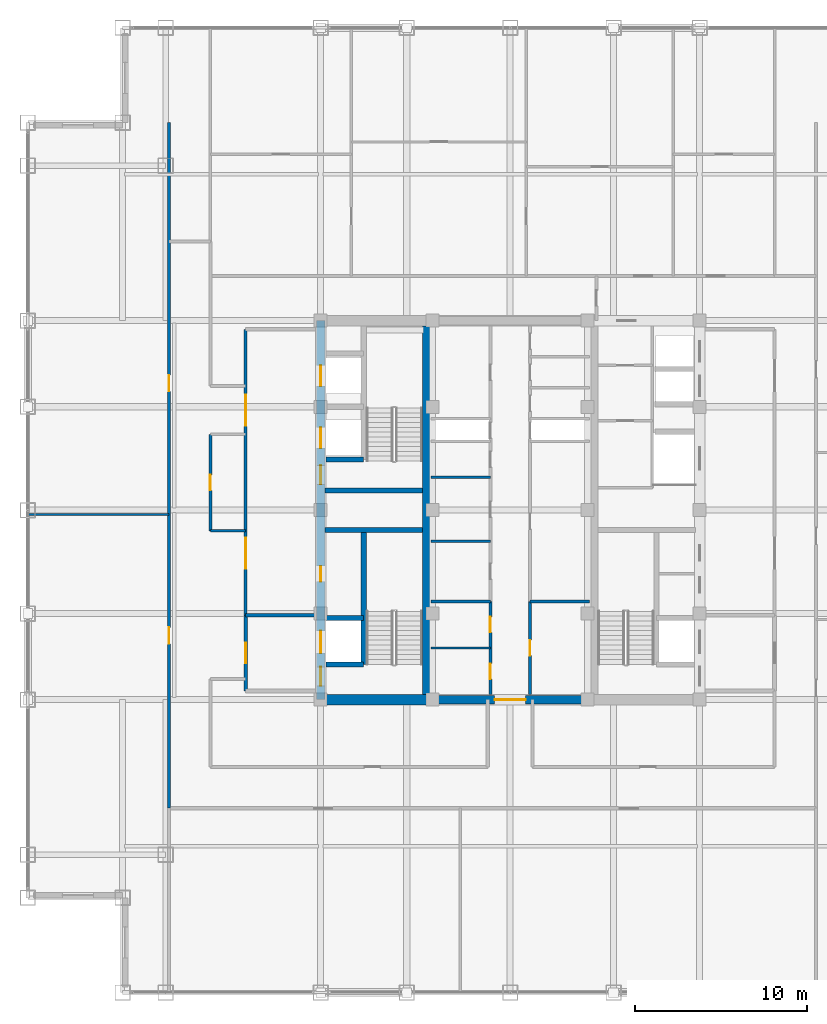
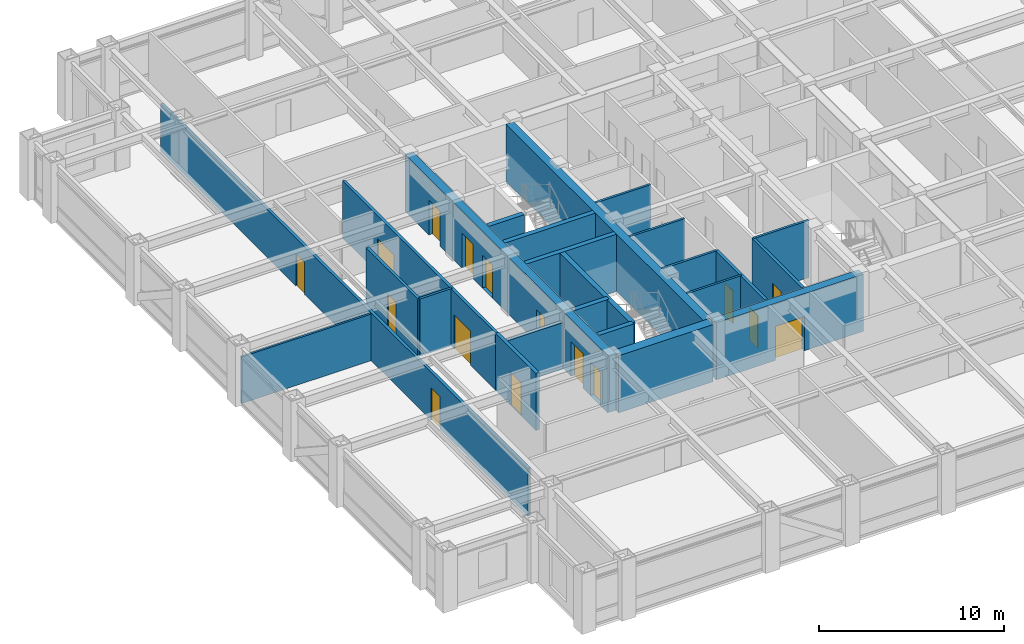
# One storey, part 18 of 22: 24 walls, 16 doors, 16 openings.
"""IFC4 building model written with IfcOpenShell, lengths in metres."""

from ifc_helpers import new_model, si_unit, direction, frame, frame_2d, origin, place, context, subcontext, project, spatial, rectangle, extrude, source, transform, mapped, material, layer, layer_set, type_object, element, fill, save


model = new_model("IFC4")

# Units and contexts
model_context = context("Model", 3, precision=1e-05, world=origin(), true_north=direction((0.0, 1.0)))
body_context = subcontext(model_context, "Body", "Model", "MODEL_VIEW")
ifc_project = project(units=[si_unit("LENGTHUNIT", "METRE"), si_unit("AREAUNIT", "SQUARE_METRE"), si_unit("VOLUMEUNIT", "CUBIC_METRE"), si_unit("PLANEANGLEUNIT", "RADIAN"), si_unit("MASSUNIT", "GRAM", prefix="KILO")], contexts=[model_context])

# Site, building, storey
site_placement = place(None, origin())
site = spatial("IfcSite", under=ifc_project, at=site_placement, CompositionType="ELEMENT")
building_placement = place(site_placement, origin())
building = spatial("IfcBuilding", under=site, at=building_placement, Name="Khorayat Bourse Tower", CompositionType="ELEMENT")
storey_placement = place(building_placement, frame((0.0, 0.0, 305.5)))
storey = spatial("IfcBuildingStorey", under=building, at=storey_placement, Name="L72", CompositionType="ELEMENT", Elevation=305.5)

# Wall, openings, doors
ifc_material_1 = material(Name="Concrete C52/65", Category="concrete")
ifc_layer_1 = layer(ifc_material_1, 0.5)
ifc_layer_set_1 = layer_set([ifc_layer_1], Name="Concrete C52/65")
wall_type_1 = type_object("IfcWallType", Name="WAL-CORE-500", PredefinedType="SHEAR", material=ifc_layer_set_1)
shared_shape_1 = source(origin(), body_context, "Body", "SweptSolid", [
    extrude(rectangle(XDim=22.0, YDim=0.5, at=frame_2d((11.0, 0.0))), origin(), (0.0, 0.0, 1.0), 3.780029296875),
])
wall_1_placement = place(storey_placement, frame((-11.0, -11.0, 0.0), z_axis=(0.0, 0.0, 1.0), x_axis=(0.0, 1.0, 0.0)))
wall_1 = element("IfcWall", 1, at=wall_1_placement, inside=storey, type_object=wall_type_1, Name="L72 Core Shear Wall CORE-W", PredefinedType="SHEAR", context=body_context, shape_type="MappedRepresentation", body=[
    mapped(shared_shape_1, transform((0.0, 0.0, 0.0), scale=1.0)),
])
shared_shape_2 = source(origin(), body_context, "Body", "SweptSolid", [
    extrude(rectangle(XDim=1.10009765625, YDim=2.199951171875, at=frame_2d((0.550048828125, 1.10009765625))), frame((0.0, 0.260009765625, 0.0), z_axis=(0.0, -1.0, 0.0), x_axis=(1.0, 0.0, 0.0)), (0.0, 0.0, 1.0), 0.52001953125),
])
opening_1_placement = place(wall_1_placement, frame((0.800048828125, 0.0, 0.0)))
opening_1 = element("IfcOpeningElement", 2, at=opening_1_placement, cuts=wall_1, Name="Opening DI-01", PredefinedType="OPENING", context=body_context, shape_type="MappedRepresentation", body=[
    mapped(shared_shape_2, transform((0.0, 0.0, 0.0), scale=1.0)),
])
opening_2_placement = place(wall_1_placement, frame((12.5, 0.0, 0.0)))
opening_2 = element("IfcOpeningElement", 3, at=opening_2_placement, cuts=wall_1, Name="Opening DI-01", PredefinedType="OPENING", context=body_context, shape_type="MappedRepresentation", body=[
    mapped(shared_shape_2, transform((0.0, 0.0, 0.0), scale=1.0)),
])
shared_shape_3 = source(origin(), body_context, "Body", "SweptSolid", [
    extrude(rectangle(XDim=0.89990234375, YDim=2.14990234375, at=frame_2d((0.449951171875, 1.074951171875))), frame((0.0, 0.260009765625, 0.0), z_axis=(0.0, -1.0, 0.0), x_axis=(1.0, 0.0, 0.0)), (0.0, 0.0, 1.0), 0.52001953125),
])
opening_3_placement = place(wall_1_placement, frame((6.85009765625, 0.0, 0.0)))
opening_3 = element("IfcOpeningElement", 4, at=opening_3_placement, cuts=wall_1, Name="Opening DI-06", PredefinedType="OPENING", context=body_context, shape_type="MappedRepresentation", body=[
    mapped(shared_shape_3, transform((0.0, 0.0, 0.0), scale=1.0)),
])
shared_shape_4 = source(origin(), body_context, "Body", "SweptSolid", [
    extrude(rectangle(XDim=1.199951171875, YDim=2.300048828125, at=frame_2d((0.60009765625, 1.14990234375))), frame((0.0, 0.260009765625, 0.0), z_axis=(0.0, -1.0, 0.0), x_axis=(1.0, 0.0, 0.0)), (0.0, 0.0, 1.0), 0.52001953125),
])
opening_4_placement = place(wall_1_placement, frame((14.60009765625, 0.0, 0.0)))
opening_4 = element("IfcOpeningElement", 5, at=opening_4_placement, cuts=wall_1, Name="Opening LD-01", PredefinedType="OPENING", context=body_context, shape_type="MappedRepresentation", body=[
    mapped(shared_shape_4, transform((0.0, 0.0, 0.0), scale=1.0)),
])
opening_5_placement = place(wall_1_placement, frame((18.199951171875, 0.0, 0.0)))
opening_5 = element("IfcOpeningElement", 6, at=opening_5_placement, cuts=wall_1, Name="Opening LD-01", PredefinedType="OPENING", context=body_context, shape_type="MappedRepresentation", body=[
    mapped(shared_shape_4, transform((0.0, 0.0, 0.0), scale=1.0)),
])
shared_shape_5 = source(origin(), body_context, "Body", "SweptSolid", [
    extrude(rectangle(XDim=1.300048828125, YDim=2.300048828125, at=frame_2d((0.64990234375, 1.14990234375))), frame((0.0, 0.260009765625, 0.0), z_axis=(0.0, -1.0, 0.0), x_axis=(1.0, 0.0, 0.0)), (0.0, 0.0, 1.0), 0.52001953125),
])
opening_6_placement = place(wall_1_placement, frame((2.699951171875, 0.0, 0.0)))
opening_6 = element("IfcOpeningElement", 7, at=opening_6_placement, cuts=wall_1, Name="Opening LD-02", PredefinedType="OPENING", context=body_context, shape_type="MappedRepresentation", body=[
    mapped(shared_shape_5, transform((0.0, 0.0, 0.0), scale=1.0)),
])
ifc_material_2 = material(Name="Fire-rated steel acoustic leaf", Category="steel")
door_type_1 = type_object("IfcDoorType", Name="DR-INT-STAIR-1100", OperationType="NOTDEFINED", PredefinedType="DOOR", material=ifc_material_2)
shared_shape_6 = source(origin(), body_context, "Body", "SweptSolid", [
    extrude(rectangle(XDim=1.10009765625, YDim=2.199951171875, at=frame_2d((0.550048828125, 1.10009765625))), frame((0.0, 0.02490234375, 0.0), z_axis=(0.0, -1.0, 0.0), x_axis=(1.0, 0.0, 0.0)), (0.0, 0.0, 1.0), 0.050048828125),
])
door_1_placement = place(opening_1_placement, origin())
door_1 = element("IfcDoor", 8, at=door_1_placement, inside=storey, type_object=door_type_1, Name="L72 Exit Stair 1 Door", OperationType="SINGLE_SWING_RIGHT", OverallHeight=2.199951171875, OverallWidth=1.10009765625, PredefinedType="DOOR", context=body_context, shape_type="MappedRepresentation", body=[
    mapped(shared_shape_6, transform((0.0, 0.0, 0.0), scale=1.0)),
])
fill(opening_1, door_1)
door_2_placement = place(opening_2_placement, origin())
door_2 = element("IfcDoor", 9, at=door_2_placement, inside=storey, type_object=door_type_1, Name="L72 Exit Stair 2 Door", OperationType="SINGLE_SWING_RIGHT", OverallHeight=2.199951171875, OverallWidth=1.10009765625, PredefinedType="DOOR", context=body_context, shape_type="MappedRepresentation", body=[
    mapped(shared_shape_6, transform((0.0, 0.0, 0.0), scale=1.0)),
])
fill(opening_2, door_2)
ifc_material_3 = material(Name="Moisture-resistant laminate washroom door")
door_type_2 = type_object("IfcDoorType", Name="DR-INT-WC-900", OperationType="NOTDEFINED", PredefinedType="DOOR", material=ifc_material_3)
shared_shape_7 = source(origin(), body_context, "Body", "SweptSolid", [
    extrude(rectangle(XDim=0.89990234375, YDim=2.14990234375, at=frame_2d((0.449951171875, 1.074951171875))), frame((0.0, 0.02490234375, 0.0), z_axis=(0.0, -1.0, 0.0), x_axis=(1.0, 0.0, 0.0)), (0.0, 0.0, 1.0), 0.050048828125),
])
door_3_placement = place(opening_3_placement, origin())
door_3 = element("IfcDoor", 10, at=door_3_placement, inside=storey, type_object=door_type_2, Name="L72 Electrical Switch Plant Room Door", OperationType="SINGLE_SWING_RIGHT", OverallHeight=2.14990234375, OverallWidth=0.89990234375, PredefinedType="DOOR", context=body_context, shape_type="MappedRepresentation", body=[
    mapped(shared_shape_7, transform((0.0, 0.0, 0.0), scale=1.0)),
])
fill(opening_3, door_3)
ifc_material_4 = material(Name="Brushed bronze stainless-steel sliding door", Category="steel")
door_type_3 = type_object("IfcDoorType", Name="DR-LIFT-PASS-1200", OperationType="NOTDEFINED", PredefinedType="DOOR", material=ifc_material_4)
shared_shape_8 = source(origin(), body_context, "Body", "SweptSolid", [
    extrude(rectangle(XDim=1.199951171875, YDim=2.300048828125, at=frame_2d((0.60009765625, 1.14990234375))), frame((0.0, 0.02490234375, 0.0), z_axis=(0.0, -1.0, 0.0), x_axis=(1.0, 0.0, 0.0)), (0.0, 0.0, 1.0), 0.050048828125),
])
door_4_placement = place(opening_4_placement, origin())
door_4 = element("IfcDoor", 11, at=door_4_placement, inside=storey, type_object=door_type_3, Name="L72 Lift PL-H1 Sliding Landing Door", OperationType="SLIDING_TO_LEFT", OverallHeight=2.300048828125, OverallWidth=1.199951171875, PredefinedType="DOOR", context=body_context, shape_type="MappedRepresentation", body=[
    mapped(shared_shape_8, transform((0.0, 0.0, 0.0), scale=1.0)),
])
fill(opening_4, door_4)
door_5_placement = place(opening_5_placement, origin())
door_5 = element("IfcDoor", 12, at=door_5_placement, inside=storey, type_object=door_type_3, Name="L72 Lift PL-H2 Sliding Landing Door", OperationType="SLIDING_TO_LEFT", OverallHeight=2.300048828125, OverallWidth=1.199951171875, PredefinedType="DOOR", context=body_context, shape_type="MappedRepresentation", body=[
    mapped(shared_shape_8, transform((0.0, 0.0, 0.0), scale=1.0)),
])
fill(opening_5, door_5)
ifc_material_5 = material(Name="Fire-rated stainless-steel sliding landing door", Category="steel")
door_type_4 = type_object("IfcDoorType", Name="DR-LIFT-FF-1300", OperationType="NOTDEFINED", PredefinedType="DOOR", material=ifc_material_5)
shared_shape_9 = source(origin(), body_context, "Body", "SweptSolid", [
    extrude(rectangle(XDim=1.300048828125, YDim=2.300048828125, at=frame_2d((0.64990234375, 1.14990234375))), frame((0.0, 0.02490234375, 0.0), z_axis=(0.0, -1.0, 0.0), x_axis=(1.0, 0.0, 0.0)), (0.0, 0.0, 1.0), 0.050048828125),
])
door_6_placement = place(opening_6_placement, origin())
door_6 = element("IfcDoor", 13, at=door_6_placement, inside=storey, type_object=door_type_4, Name="L72 Lift FFL-01 Sliding Landing Door", OperationType="SLIDING_TO_LEFT", OverallHeight=2.300048828125, OverallWidth=1.300048828125, PredefinedType="DOOR", context=body_context, shape_type="MappedRepresentation", body=[
    mapped(shared_shape_9, transform((0.0, 0.0, 0.0), scale=1.0)),
])
fill(opening_6, door_6)

# Walls
shared_shape_10 = source(origin(), body_context, "Body", "SweptSolid", [
    extrude(rectangle(XDim=21.39990234375, YDim=0.5, at=frame_2d((10.699951171875, 0.0))), origin(), (0.0, 0.0, 1.0), 3.780029296875),
])
wall_2_placement = place(storey_placement, frame((-4.85009765625, -10.699951171875, 0.0), z_axis=(0.0, 0.0, 1.0), x_axis=(0.0, 1.0, 0.0)))
element("IfcWall", 14, at=wall_2_placement, inside=storey, type_object=wall_type_1, Name="L72 Core Shear Wall PIER-W", PredefinedType="SHEAR", context=body_context, shape_type="MappedRepresentation", body=[
    mapped(shared_shape_10, transform((0.0, 0.0, 0.0), scale=1.0)),
])
ifc_material_6 = material(Name="Concrete C60/75", Category="concrete")
ifc_layer_2 = layer(ifc_material_6, 0.60009765625)
ifc_layer_set_2 = layer_set([ifc_layer_2], Name="Concrete C60/75")
wall_type_2 = type_object("IfcWallType", Name="WAL-CORE-600", PredefinedType="SHEAR", material=ifc_layer_set_2)
shared_shape_11 = source(origin(), body_context, "Body", "SweptSolid", [
    extrude(rectangle(XDim=5.89990234375, YDim=0.60009765625, at=frame_2d((2.949951171875, 0.0))), origin(), (0.0, 0.0, 1.0), 3.780029296875),
])
wall_3_placement = place(storey_placement, frame((-10.75, -11.0, 0.0), z_axis=(0.0, 0.0, 1.0), x_axis=(1.0, 0.0, 0.0)))
element("IfcWall", 15, at=wall_3_placement, inside=storey, type_object=wall_type_2, Name="L72 Core Shear Wall PIER-WS", PredefinedType="SHEAR", context=body_context, shape_type="MappedRepresentation", body=[
    mapped(shared_shape_11, transform((0.0, 0.0, 0.0), scale=1.0)),
])
ifc_material_7 = material(Name="Concrete C50/60", Category="concrete")
ifc_layer_3 = layer(ifc_material_7, 0.300048828125)
ifc_layer_set_3 = layer_set([ifc_layer_3], Name="Concrete C50/60")
wall_type_3 = type_object("IfcWallType", Name="WAL-SHAFT-300", PredefinedType="SHEAR", material=ifc_layer_set_3)
shared_shape_12 = source(origin(), body_context, "Body", "SweptSolid", [
    extrude(rectangle(XDim=5.64990234375, YDim=0.300048828125, at=frame_2d((2.824951171875, 0.0))), origin(), (0.0, 0.0, 1.0), 3.780029296875),
])
for number, where, z_axis, x_axis, name in (
    (16, (-10.75, -1.14990234375, 0.0), (0.0, 0.0, 1.0), (1.0, 0.0, 0.0), "L72 Core Shear Wall ST1-DIV"),
    (17, (-10.75, 1.14990234375, 0.0), (0.0, 0.0, 1.0), (1.0, 0.0, 0.0), "L72 Core Shear Wall ST2-DIV"),
):
    element("IfcWall", number, at=place(storey_placement, frame(where, z_axis=z_axis, x_axis=x_axis)), inside=storey, type_object=wall_type_3, Name=name, PredefinedType="SHEAR", context=body_context, shape_type="MappedRepresentation", body=[
        mapped(shared_shape_12, transform((0.0, 0.0, 0.0), scale=1.0)),
    ])

# Wall, opening, door
shared_shape_13 = source(origin(), body_context, "Body", "SweptSolid", [
    extrude(rectangle(XDim=9.2001953125, YDim=0.5, at=frame_2d((4.60009765625, 0.0))), origin(), (0.0, 0.0, 1.0), 3.780029296875),
])
wall_4_placement = place(storey_placement, frame((-4.60009765625, -11.0, 0.0), z_axis=(0.0, 0.0, 1.0), x_axis=(1.0, 0.0, 0.0)))
wall_4 = element("IfcWall", 18, at=wall_4_placement, inside=storey, type_object=wall_type_1, Name="L72 Core Shear Wall CORE-S", PredefinedType="SHEAR", context=body_context, shape_type="MappedRepresentation", body=[
    mapped(shared_shape_13, transform((0.0, 0.0, 0.0), scale=1.0)),
])
shared_shape_14 = source(origin(), body_context, "Body", "SweptSolid", [
    extrude(rectangle(XDim=1.800048828125, YDim=2.25, at=frame_2d((0.89990234375, 1.125))), frame((0.0, 0.260009765625, 0.0), z_axis=(0.0, -1.0, 0.0), x_axis=(1.0, 0.0, 0.0)), (0.0, 0.0, 1.0), 0.52001953125),
])
opening_7_placement = place(wall_4_placement, frame((3.699951171875, 0.0, 0.0)))
opening_7 = element("IfcOpeningElement", 19, at=opening_7_placement, cuts=wall_4, Name="Opening DI-03", PredefinedType="OPENING", context=body_context, shape_type="MappedRepresentation", body=[
    mapped(shared_shape_14, transform((0.0, 0.0, 0.0), scale=1.0)),
])
ifc_material_8 = material(Name="Fire-rated hardwood vision-panel double leaf", Category="wood")
door_type_5 = type_object("IfcDoorType", Name="DR-INT-CORR-1800", OperationType="NOTDEFINED", PredefinedType="DOOR", material=ifc_material_8)
shared_shape_15 = source(origin(), body_context, "Body", "SweptSolid", [
    extrude(rectangle(XDim=1.800048828125, YDim=2.25, at=frame_2d((0.89990234375, 1.125))), frame((0.0, 0.02490234375, 0.0), z_axis=(0.0, -1.0, 0.0), x_axis=(1.0, 0.0, 0.0)), (0.0, 0.0, 1.0), 0.050048828125),
])
door_7_placement = place(opening_7_placement, origin())
door_7 = element("IfcDoor", 20, at=door_7_placement, inside=storey, type_object=door_type_5, Name="L72 Central Core South Passage Door", OperationType="SINGLE_SWING_LEFT", OverallHeight=2.25, OverallWidth=1.800048828125, PredefinedType="DOOR", context=body_context, shape_type="MappedRepresentation", body=[
    mapped(shared_shape_15, transform((0.0, 0.0, 0.0), scale=1.0)),
])
fill(opening_7, door_7)

# Walls
ifc_material_9 = material(Name="Aerated concrete blockwork", Category="masonry")
ifc_layer_4 = layer(ifc_material_9, 0.219970703125)
ifc_layer_set_4 = layer_set([ifc_layer_4], Name="Aerated concrete blockwork")
wall_type_4 = type_object("IfcWallType", Name="WAL-PART-FF-220", PredefinedType="PARTITIONING", material=ifc_layer_set_4)
shared_shape_16 = source(origin(), body_context, "Body", "SweptSolid", [
    extrude(rectangle(XDim=4.050048828125, YDim=0.219970703125, at=frame_2d((2.02490234375, 0.0))), origin(), (0.0, 0.0, 1.0), 3.0849609375),
])
wall_5_placement = place(storey_placement, frame((-15.35009765625, -6.10009765625, 0.0), z_axis=(0.0, 0.0, 1.0), x_axis=(1.0, 0.0, 0.0)))
element("IfcWall", 21, at=wall_5_placement, inside=storey, type_object=wall_type_4, Name="L72 Partition WAL-L72-FFLW-N", PredefinedType="PARTITIONING", context=body_context, shape_type="MappedRepresentation", body=[
    mapped(shared_shape_16, transform((0.0, 0.0, 0.0), scale=1.0)),
])
shared_shape_17 = source(origin(), body_context, "Body", "SweptSolid", [
    extrude(rectangle(XDim=7.800048828125, YDim=0.300048828125, at=frame_2d((3.89990234375, 0.0))), origin(), (0.0, 0.0, 1.0), 3.780029296875),
])
wall_6_placement = place(storey_placement, frame((-8.5, -8.949951171875, 0.0), z_axis=(0.0, 0.0, 1.0), x_axis=(0.0, 1.0, 0.0)))
element("IfcWall", 22, at=wall_6_placement, inside=storey, type_object=wall_type_3, Name="L72 Partition WAL-L72-WPIER-SP", PredefinedType="SHEAR", context=body_context, shape_type="MappedRepresentation", body=[
    mapped(shared_shape_17, transform((0.0, 0.0, 0.0), scale=1.0)),
])
shared_shape_18 = source(origin(), body_context, "Body", "SweptSolid", [
    extrude(rectangle(XDim=2.199951171875, YDim=0.300048828125, at=frame_2d((1.10009765625, 0.0))), origin(), (0.0, 0.0, 1.0), 3.780029296875),
])
for number, where, z_axis, x_axis, name in (
    (23, (-10.699951171875, -8.949951171875, 0.0), (0.0, 0.0, 1.0), (1.0, 0.0, 0.0), "L72 Partition WAL-L72-WPIER-FF1S"),
    (24, (-10.699951171875, -6.25, 0.0), (0.0, 0.0, 1.0), (1.0, 0.0, 0.0), "L72 Partition WAL-L72-WPIER-FF1N"),
    (25, (-10.699951171875, 2.949951171875, 0.0), (0.0, 0.0, 1.0), (1.0, 0.0, 0.0), "L72 Partition WAL-L72-WPIER-H1S"),
):
    element("IfcWall", number, at=place(storey_placement, frame(where, z_axis=z_axis, x_axis=x_axis)), inside=storey, type_object=wall_type_3, Name=name, PredefinedType="SHEAR", context=body_context, shape_type="MappedRepresentation", body=[
        mapped(shared_shape_18, transform((0.0, 0.0, 0.0), scale=1.0)),
    ])

# Wall, opening, door
shared_shape_19 = source(origin(), body_context, "Body", "SweptSolid", [
    extrude(rectangle(XDim=4.39990234375, YDim=0.219970703125, at=frame_2d((2.199951171875, 0.0))), origin(), (0.0, 0.0, 1.0), 3.780029296875),
])
wall_7_placement = place(storey_placement, frame((-15.35009765625, -10.5, 0.0), z_axis=(0.0, 0.0, 1.0), x_axis=(0.0, 1.0, 0.0)))
wall_7 = element("IfcWall", 26, at=wall_7_placement, inside=storey, type_object=wall_type_4, Name="L72 Partition WAL-L72-FFLW-W", PredefinedType="PARTITIONING", context=body_context, shape_type="MappedRepresentation", body=[
    mapped(shared_shape_19, transform((0.0, 0.0, 0.0), scale=1.0)),
])
shared_shape_20 = source(origin(), body_context, "Body", "SweptSolid", [
    extrude(rectangle(XDim=1.199951171875, YDim=2.199951171875, at=frame_2d((0.60009765625, 1.10009765625))), frame((0.0, 0.119873046875, 0.0), z_axis=(0.0, -1.0, 0.0), x_axis=(1.0, 0.0, 0.0)), (0.0, 0.0, 1.0), 0.239990234375),
])
opening_8_placement = place(wall_7_placement, frame((1.60009765625, 0.0, 0.0)))
opening_8 = element("IfcOpeningElement", 27, at=opening_8_placement, cuts=wall_7, Name="Opening DI-02", PredefinedType="OPENING", context=body_context, shape_type="MappedRepresentation", body=[
    mapped(shared_shape_20, transform((0.0, 0.0, 0.0), scale=1.0)),
])
ifc_material_10 = material(Name="Fire-rated steel double-seal leaf", Category="steel")
door_type_6 = type_object("IfcDoorType", Name="DR-INT-FFLOBBY-1200", OperationType="NOTDEFINED", PredefinedType="DOOR", material=ifc_material_10)
shared_shape_21 = source(origin(), body_context, "Body", "SweptSolid", [
    extrude(rectangle(XDim=1.199951171875, YDim=2.199951171875, at=frame_2d((0.60009765625, 1.10009765625))), frame((0.0, 0.02490234375, 0.0), z_axis=(0.0, -1.0, 0.0), x_axis=(1.0, 0.0, 0.0)), (0.0, 0.0, 1.0), 0.050048828125),
])
door_8_placement = place(opening_8_placement, origin())
door_8 = element("IfcDoor", 28, at=door_8_placement, inside=storey, type_object=door_type_6, Name="L72 West Firefighting Lobby Door", OperationType="SINGLE_SWING_LEFT", OverallHeight=2.199951171875, OverallWidth=1.199951171875, PredefinedType="DOOR", context=body_context, shape_type="MappedRepresentation", body=[
    mapped(shared_shape_21, transform((0.0, 0.0, 0.0), scale=1.0)),
])
fill(opening_8, door_8)

# Wall, openings, doors
ifc_material_11 = material(Name="Gypsum plasterboard acoustic stud wall")
ifc_layer_5 = layer(ifc_material_11, 0.179931640625)
ifc_layer_set_5 = layer_set([ifc_layer_5], Name="Gypsum plasterboard acoustic stud wall")
wall_type_5 = type_object("IfcWallType", Name="WAL-PART-CORR-180", PredefinedType="PARTITIONING", material=ifc_layer_set_5)
shared_shape_22 = source(origin(), body_context, "Body", "SweptSolid", [
    extrude(rectangle(XDim=16.60009765625, YDim=0.179931640625, at=frame_2d((8.300048828125, 0.0))), origin(), (0.0, 0.0, 1.0), 3.780029296875),
])
wall_8_placement = place(storey_placement, frame((-15.35009765625, -6.10009765625, 0.0), z_axis=(0.0, 0.0, 1.0), x_axis=(0.0, 1.0, 0.0)))
wall_8 = element("IfcWall", 29, at=wall_8_placement, inside=storey, type_object=wall_type_5, Name="L72 Partition WAL-L72-WLOB-W", PredefinedType="PARTITIONING", context=body_context, shape_type="MappedRepresentation", body=[
    mapped(shared_shape_22, transform((0.0, 0.0, 0.0), scale=1.0)),
])
shared_shape_23 = source(origin(), body_context, "Body", "SweptSolid", [
    extrude(rectangle(XDim=1.800048828125, YDim=2.25, at=frame_2d((0.89990234375, 1.125))), frame((0.0, 0.099853515625, 0.0), z_axis=(0.0, -1.0, 0.0), x_axis=(1.0, 0.0, 0.0)), (0.0, 0.0, 1.0), 0.199951171875),
])
opening_9_placement = place(wall_8_placement, frame((2.699951171875, 0.0, 0.0)))
opening_9 = element("IfcOpeningElement", 30, at=opening_9_placement, cuts=wall_8, Name="Opening DI-03", PredefinedType="OPENING", context=body_context, shape_type="MappedRepresentation", body=[
    mapped(shared_shape_23, transform((0.0, 0.0, 0.0), scale=1.0)),
])
opening_10_placement = place(wall_8_placement, frame((11.0, 0.0, 0.0)))
opening_10 = element("IfcOpeningElement", 31, at=opening_10_placement, cuts=wall_8, Name="Opening DI-03", PredefinedType="OPENING", context=body_context, shape_type="MappedRepresentation", body=[
    mapped(shared_shape_23, transform((0.0, 0.0, 0.0), scale=1.0)),
])
door_9_placement = place(opening_9_placement, origin())
door_9 = element("IfcDoor", 32, at=door_9_placement, inside=storey, type_object=door_type_5, Name="L72 West Core Lobby South Door", OperationType="SINGLE_SWING_LEFT", OverallHeight=2.25, OverallWidth=1.800048828125, PredefinedType="DOOR", context=body_context, shape_type="MappedRepresentation", body=[
    mapped(shared_shape_15, transform((0.0, 0.0, 0.0), scale=1.0)),
])
fill(opening_9, door_9)
door_10_placement = place(opening_10_placement, origin())
door_10 = element("IfcDoor", 33, at=door_10_placement, inside=storey, type_object=door_type_5, Name="L72 West Core Lobby North Door", OperationType="SINGLE_SWING_RIGHT", OverallHeight=2.25, OverallWidth=1.800048828125, PredefinedType="DOOR", context=body_context, shape_type="MappedRepresentation", body=[
    mapped(shared_shape_15, transform((0.0, 0.0, 0.0), scale=1.0)),
])
fill(opening_10, door_10)

# Walls
ifc_material_12 = material(Name="Gypsum plasterboard twin-frame partition")
ifc_layer_6 = layer(ifc_material_12, 0.14990234375)
ifc_layer_set_6 = layer_set([ifc_layer_6], Name="Gypsum plasterboard twin-frame partition")
wall_type_6 = type_object("IfcWallType", Name="WAL-PART-SUITE-150", PredefinedType="PARTITIONING", material=ifc_layer_set_6)
shared_shape_24 = source(origin(), body_context, "Body", "SweptSolid", [
    extrude(rectangle(XDim=3.4501953125, YDim=0.14990234375, at=frame_2d((1.72509765625, 0.0))), origin(), (0.0, 0.0, 1.0), 3.780029296875),
])
for number, where, z_axis, x_axis, name in (
    (34, (-4.60009765625, -5.300048828125, 0.0), (0.0, 0.0, 1.0), (1.0, 0.0, 0.0), "L72 Partition WAL-L72-FB1-NW"),
    (35, (1.14990234375, -5.300048828125, 0.0), (0.0, 0.0, 1.0), (1.0, 0.0, 0.0), "L72 Partition WAL-L72-FB1-NE"),
):
    element("IfcWall", number, at=place(storey_placement, frame(where, z_axis=z_axis, x_axis=x_axis)), inside=storey, type_object=wall_type_6, Name=name, PredefinedType="PARTITIONING", context=body_context, shape_type="MappedRepresentation", body=[
        mapped(shared_shape_24, transform((0.0, 0.0, 0.0), scale=1.0)),
    ])

# Wall, openings, doors
shared_shape_25 = source(origin(), body_context, "Body", "SweptSolid", [
    extrude(rectangle(XDim=5.39990234375, YDim=0.179931640625, at=frame_2d((2.699951171875, 0.0))), origin(), (0.0, 0.0, 1.0), 3.780029296875),
])
wall_9_placement = place(storey_placement, frame((-1.14990234375, -10.699951171875, 0.0), z_axis=(0.0, 0.0, 1.0), x_axis=(0.0, 1.0, 0.0)))
wall_9 = element("IfcWall", 36, at=wall_9_placement, inside=storey, type_object=wall_type_5, Name="L72 Partition WAL-L72-FB1W-L", PredefinedType="PARTITIONING", context=body_context, shape_type="MappedRepresentation", body=[
    mapped(shared_shape_25, transform((0.0, 0.0, 0.0), scale=1.0)),
])
shared_shape_26 = source(origin(), body_context, "Body", "SweptSolid", [
    extrude(rectangle(XDim=0.89990234375, YDim=2.14990234375, at=frame_2d((0.449951171875, 1.074951171875))), frame((0.0, 0.099853515625, 0.0), z_axis=(0.0, -1.0, 0.0), x_axis=(1.0, 0.0, 0.0)), (0.0, 0.0, 1.0), 0.199951171875),
])
opening_11_placement = place(wall_9_placement, frame((0.89990234375, 0.0, 0.0)))
opening_11 = element("IfcOpeningElement", 37, at=opening_11_placement, cuts=wall_9, Name="Opening DI-06", PredefinedType="OPENING", context=body_context, shape_type="MappedRepresentation", body=[
    mapped(shared_shape_26, transform((0.0, 0.0, 0.0), scale=1.0)),
])
opening_12_placement = place(wall_9_placement, frame((3.60009765625, 0.0, 0.0)))
opening_12 = element("IfcOpeningElement", 38, at=opening_12_placement, cuts=wall_9, Name="Opening DI-06", PredefinedType="OPENING", context=body_context, shape_type="MappedRepresentation", body=[
    mapped(shared_shape_26, transform((0.0, 0.0, 0.0), scale=1.0)),
])
door_11_placement = place(opening_11_placement, origin())
door_11 = element("IfcDoor", 39, at=door_11_placement, inside=storey, type_object=door_type_2, Name="L72 Clearing Vault Store Door", OperationType="SINGLE_SWING_RIGHT", OverallHeight=2.14990234375, OverallWidth=0.89990234375, PredefinedType="DOOR", context=body_context, shape_type="MappedRepresentation", body=[
    mapped(shared_shape_7, transform((0.0, 0.0, 0.0), scale=1.0)),
])
fill(opening_11, door_11)
door_12_placement = place(opening_12_placement, origin())
door_12 = element("IfcDoor", 40, at=door_12_placement, inside=storey, type_object=door_type_2, Name="L72 UPS Battery Plant Room Door", OperationType="SINGLE_SWING_LEFT", OverallHeight=2.14990234375, OverallWidth=0.89990234375, PredefinedType="DOOR", context=body_context, shape_type="MappedRepresentation", body=[
    mapped(shared_shape_7, transform((0.0, 0.0, 0.0), scale=1.0)),
])
fill(opening_12, door_12)

# Wall, opening, door
wall_10_placement = place(storey_placement, frame((1.14990234375, -10.699951171875, 0.0), z_axis=(0.0, 0.0, 1.0), x_axis=(0.0, 1.0, 0.0)))
wall_10 = element("IfcWall", 41, at=wall_10_placement, inside=storey, type_object=wall_type_5, Name="L72 Partition WAL-L72-FB1E-L", PredefinedType="PARTITIONING", context=body_context, shape_type="MappedRepresentation", body=[
    mapped(shared_shape_25, transform((0.0, 0.0, 0.0), scale=1.0)),
])
opening_13_placement = place(wall_10_placement, frame((2.25, 0.0, 0.0)))
opening_13 = element("IfcOpeningElement", 42, at=opening_13_placement, cuts=wall_10, Name="Opening DI-06", PredefinedType="OPENING", context=body_context, shape_type="MappedRepresentation", body=[
    mapped(shared_shape_26, transform((0.0, 0.0, 0.0), scale=1.0)),
])
door_13_placement = place(opening_13_placement, origin())
door_13 = element("IfcDoor", 43, at=door_13_placement, inside=storey, type_object=door_type_2, Name="L72 Core Archive Vault Door", OperationType="SINGLE_SWING_RIGHT", OverallHeight=2.14990234375, OverallWidth=0.89990234375, PredefinedType="DOOR", context=body_context, shape_type="MappedRepresentation", body=[
    mapped(shared_shape_7, transform((0.0, 0.0, 0.0), scale=1.0)),
])
fill(opening_13, door_13)

# Walls
ifc_material_13 = material(Name="Moisture-resistant masonry partition", Category="masonry")
ifc_layer_7 = layer(ifc_material_13, 0.139892578125)
ifc_layer_set_7 = layer_set([ifc_layer_7], Name="Moisture-resistant masonry partition")
wall_type_7 = type_object("IfcWallType", Name="WAL-PART-WET-140", PredefinedType="PARTITIONING", material=ifc_layer_set_7)
shared_shape_27 = source(origin(), body_context, "Body", "SweptSolid", [
    extrude(rectangle(XDim=3.4501953125, YDim=0.139892578125, at=frame_2d((1.72509765625, 0.0))), origin(), (0.0, 0.0, 1.0), 3.780029296875),
])
for number, where, z_axis, x_axis, name in (
    (44, (-4.60009765625, -8.0, 0.0), (0.0, 0.0, 1.0), (1.0, 0.0, 0.0), "L72 Partition WAL-L72-FB1W-D1"),
    (45, (-4.60009765625, -1.800048828125, 0.0), (0.0, 0.0, 1.0), (1.0, 0.0, 0.0), "L72 Partition WAL-L72-CMW-D1"),
    (46, (-4.60009765625, 1.89990234375, 0.0), (0.0, 0.0, 1.0), (1.0, 0.0, 0.0), "L72 Partition WAL-L72-CMW-D2"),
):
    element("IfcWall", number, at=place(storey_placement, frame(where, z_axis=z_axis, x_axis=x_axis)), inside=storey, type_object=wall_type_7, Name=name, PredefinedType="PARTITIONING", context=body_context, shape_type="MappedRepresentation", body=[
        mapped(shared_shape_27, transform((0.0, 0.0, 0.0), scale=1.0)),
    ])

# Wall, opening, door
shared_shape_28 = source(origin(), body_context, "Body", "SweptSolid", [
    extrude(rectangle(XDim=5.599853515625, YDim=0.179931640625, at=frame_2d((2.7998046875, 0.0))), origin(), (0.0, 0.0, 1.0), 3.780029296875),
])
wall_11_placement = place(storey_placement, frame((-17.39990234375, -1.199951171875, 0.0), z_axis=(0.0, 0.0, 1.0), x_axis=(0.0, 1.0, 0.0)))
wall_11 = element("IfcWall", 47, at=wall_11_placement, inside=storey, type_object=wall_type_5, Name="L72 Partition WAL-L72-PKWM-W", PredefinedType="PARTITIONING", context=body_context, shape_type="MappedRepresentation", body=[
    mapped(shared_shape_28, transform((0.0, 0.0, 0.0), scale=1.0)),
])
opening_14_placement = place(wall_11_placement, frame((2.35009765625, 0.0, 0.0)))
opening_14 = element("IfcOpeningElement", 48, at=opening_14_placement, cuts=wall_11, Name="Opening DI-06", PredefinedType="OPENING", context=body_context, shape_type="MappedRepresentation", body=[
    mapped(shared_shape_26, transform((0.0, 0.0, 0.0), scale=1.0)),
])
door_14_placement = place(opening_14_placement, origin())
door_14 = element("IfcDoor", 49, at=door_14_placement, inside=storey, type_object=door_type_2, Name="L72 West Inboard Focus Door", OperationType="SINGLE_SWING_LEFT", OverallHeight=2.14990234375, OverallWidth=0.89990234375, PredefinedType="DOOR", context=body_context, shape_type="MappedRepresentation", body=[
    mapped(shared_shape_7, transform((0.0, 0.0, 0.0), scale=1.0)),
])
fill(opening_14, door_14)

# Walls
shared_shape_29 = source(origin(), body_context, "Body", "SweptSolid", [
    extrude(rectangle(XDim=2.0498046875, YDim=0.14990234375, at=frame_2d((1.02490234375, 0.0))), origin(), (0.0, 0.0, 1.0), 3.780029296875),
])
wall_12_placement = place(storey_placement, frame((-17.39990234375, -1.199951171875, 0.0), z_axis=(0.0, 0.0, 1.0), x_axis=(1.0, 0.0, 0.0)))
element("IfcWall", 50, at=wall_12_placement, inside=storey, type_object=wall_type_6, Name="L72 Partition WAL-L72-PKWM-S", PredefinedType="PARTITIONING", context=body_context, shape_type="MappedRepresentation", body=[
    mapped(shared_shape_29, transform((0.0, 0.0, 0.0), scale=1.0)),
])
ifc_material_14 = material(Name="Gypsum plasterboard partition")
ifc_layer_8 = layer(ifc_material_14, 0.125)
ifc_layer_set_8 = layer_set([ifc_layer_8], Name="Gypsum plasterboard partition")
wall_type_8 = type_object("IfcWallType", Name="WAL-PART-ROOM-125", PredefinedType="PARTITIONING", material=ifc_layer_set_8)
shared_shape_30 = source(origin(), body_context, "Body", "SweptSolid", [
    extrude(rectangle(XDim=8.199951171875, YDim=0.125, at=frame_2d((4.10009765625, 0.0))), origin(), (0.0, 0.0, 1.0), 3.0849609375),
])
wall_13_placement = place(storey_placement, frame((-28.0, -0.260009765625, 0.0), z_axis=(0.0, 0.0, 1.0), x_axis=(1.0, 0.0, 0.0)))
element("IfcWall", 51, at=wall_13_placement, inside=storey, type_object=wall_type_8, Name="L72 Partition WAL-L72-WDV-1", PredefinedType="PARTITIONING", context=body_context, shape_type="MappedRepresentation", body=[
    mapped(shared_shape_30, transform((0.0, 0.0, 0.0), scale=1.0)),
])

# Wall, openings, doors
shared_shape_31 = source(origin(), body_context, "Body", "SweptSolid", [
    extrude(rectangle(XDim=39.800048828125, YDim=0.179931640625, at=frame_2d((19.89990234375, 0.0))), origin(), (0.0, 0.0, 1.0), 3.1640625),
])
wall_14_placement = place(storey_placement, frame((-19.800048828125, -17.300048828125, 0.0), z_axis=(0.0, 0.0, 1.0), x_axis=(0.0, 1.0, 0.0)))
wall_14 = element("IfcWall", 52, at=wall_14_placement, inside=storey, type_object=wall_type_5, Name="L72 Partition WAL-L72-WCORR", PredefinedType="PARTITIONING", context=body_context, shape_type="MappedRepresentation", body=[
    mapped(shared_shape_31, transform((0.0, 0.0, 0.0), scale=1.0)),
])
shared_shape_32 = source(origin(), body_context, "Body", "SweptSolid", [
    extrude(rectangle(XDim=0.949951171875, YDim=2.14990234375, at=frame_2d((0.47509765625, 1.074951171875))), frame((0.0, 0.099853515625, 0.0), z_axis=(0.0, -1.0, 0.0), x_axis=(1.0, 0.0, 0.0)), (0.0, 0.0, 1.0), 0.199951171875),
])
opening_15_placement = place(wall_14_placement, frame((9.544921875, 0.0, 0.0)))
opening_15 = element("IfcOpeningElement", 53, at=opening_15_placement, cuts=wall_14, Name="Opening DI-05", PredefinedType="OPENING", context=body_context, shape_type="MappedRepresentation", body=[
    mapped(shared_shape_32, transform((0.0, 0.0, 0.0), scale=1.0)),
])
opening_16_placement = place(wall_14_placement, frame((24.195068359375, 0.0, 0.0)))
opening_16 = element("IfcOpeningElement", 54, at=opening_16_placement, cuts=wall_14, Name="Opening DI-05", PredefinedType="OPENING", context=body_context, shape_type="MappedRepresentation", body=[
    mapped(shared_shape_32, transform((0.0, 0.0, 0.0), scale=1.0)),
])
ifc_material_15 = material(Name="Acoustic oak veneer office door")
door_type_7 = type_object("IfcDoorType", Name="DR-INT-OFFICE-950", OperationType="NOTDEFINED", PredefinedType="DOOR", material=ifc_material_15)
shared_shape_33 = source(origin(), body_context, "Body", "SweptSolid", [
    extrude(rectangle(XDim=0.949951171875, YDim=2.14990234375, at=frame_2d((0.47509765625, 1.074951171875))), frame((0.0, 0.02490234375, 0.0), z_axis=(0.0, -1.0, 0.0), x_axis=(1.0, 0.0, 0.0)), (0.0, 0.0, 1.0), 0.050048828125),
])
door_15_placement = place(opening_15_placement, origin())
door_15 = element("IfcDoor", 55, at=door_15_placement, inside=storey, type_object=door_type_7, Name="L72 Clearing Records Archive Store W1 Door", OperationType="SINGLE_SWING_RIGHT", OverallHeight=2.14990234375, OverallWidth=0.949951171875, PredefinedType="DOOR", context=body_context, shape_type="MappedRepresentation", body=[
    mapped(shared_shape_33, transform((0.0, 0.0, 0.0), scale=1.0)),
])
fill(opening_15, door_15)
door_16_placement = place(opening_16_placement, origin())
door_16 = element("IfcDoor", 56, at=door_16_placement, inside=storey, type_object=door_type_7, Name="L72 Issuer Listing Showroom W2 Door", OperationType="SINGLE_SWING_LEFT", OverallHeight=2.14990234375, OverallWidth=0.949951171875, PredefinedType="DOOR", context=body_context, shape_type="MappedRepresentation", body=[
    mapped(shared_shape_33, transform((0.0, 0.0, 0.0), scale=1.0)),
])
fill(opening_16, door_16)

save(model, "model.ifc")
